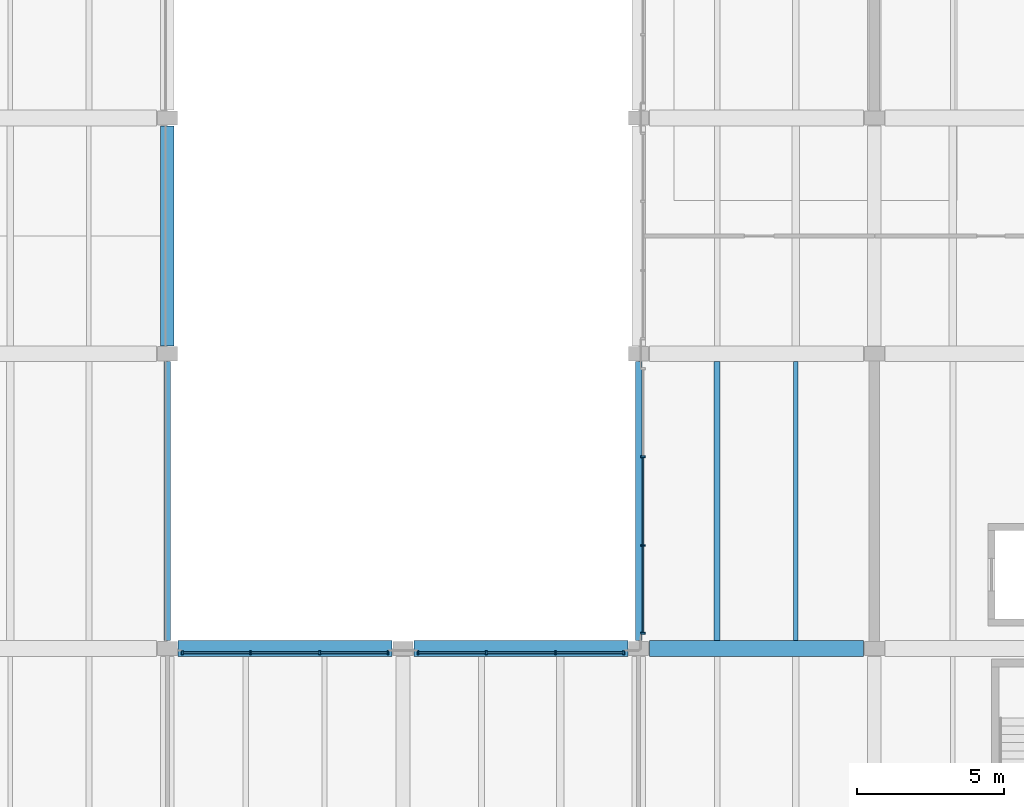
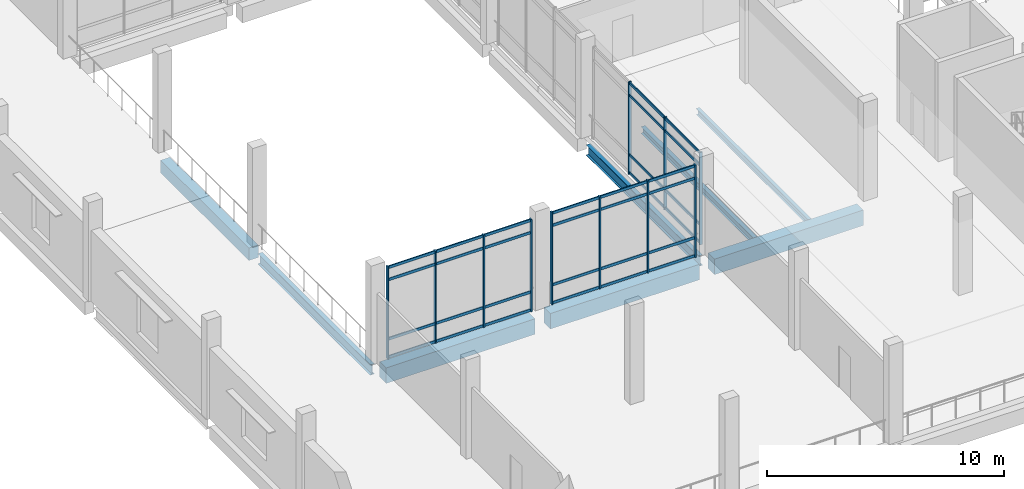
# One storey, part 8 of 61: 43 members, 8 beams, 3 elements without a shape of their own.
"""IFC4 building model written with IfcOpenShell, lengths in metres."""

from ifc_helpers import new_model, si_unit, direction, frame, origin, origin_2d, place, context, subcontext, project, spatial, rectangle, i_section, extrude, material, material_profile, profile_set, type_object, element, aggregate, save


model = new_model("IFC4")

# Units and contexts
model_context = context("Model", 3, precision=1e-05, world=origin(), true_north=direction((0.0, 1.0)))
body_context = subcontext(model_context, "Body", "Model", "MODEL_VIEW")
ifc_project = project(units=[si_unit("LENGTHUNIT", "METRE"), si_unit("AREAUNIT", "SQUARE_METRE"), si_unit("VOLUMEUNIT", "CUBIC_METRE"), si_unit("PLANEANGLEUNIT", "RADIAN"), si_unit("MASSUNIT", "GRAM", prefix="KILO")], contexts=[model_context])

# Site, building, storey
site_placement = place(None, origin())
site = spatial("IfcSite", under=ifc_project, at=site_placement, CompositionType="ELEMENT")
building_placement = place(site_placement, origin())
building = spatial("IfcBuilding", under=site, at=building_placement, Name="Pecanmere Concourse Central Library", CompositionType="ELEMENT")
storey_placement = place(building_placement, frame((0.0, 0.0, 5.39990234375)))
storey = spatial("IfcBuildingStorey", under=building, at=storey_placement, Name="L02", CompositionType="ELEMENT", Elevation=5.39990234375)

# Curtain wall, members
ifc_material_1 = material(Name="Clear anodized aluminium alloy 6063-T6", Category="aluminium")
curtain_wall_type = type_object("IfcCurtainWallType", Name="CW_CLOISTER_GLAZ", PredefinedType="USERDEFINED", material=ifc_material_1)
curtain_wall_1_placement = place(storey_placement, origin())
curtain_wall_1 = element("IfcCurtainWall", 1, at=curtain_wall_1_placement, inside=storey, type_object=curtain_wall_type, Name="Unitised Curtain Wall CW-04 L02-116", ObjectType="UNITISED CURTAIN WALL", PredefinedType="USERDEFINED")
ifc_material_2 = material(Name="Clear anodized aluminium alloy 6063-T6", Category="aluminium")
ifc_material_profile_1 = material_profile(ifc_material_2, rectangle(XDim=0.06005859375, YDim=0.14990234375, at=origin_2d()), Name="AL 60x150")
ifc_profile_set_1 = profile_set([ifc_material_profile_1], Name="Clear anodized aluminium alloy 6063-T6")
member_type_1 = type_object("IfcMemberType", Name="CWM_150x60", PredefinedType="MULLION", material=ifc_profile_set_1)
member_1_placement = place(storey_placement, frame((48.14990234375, 70.506591796875, 0.0), z_axis=(0.0, 0.0, 1.0), x_axis=(0.0, -1.0, 0.0)))
member_1 = element("IfcMember", 2, at=member_1_placement, type_object=member_type_1, Name="CW-04 Mullion 2", PredefinedType="MULLION", context=body_context, shape_type="SweptSolid", body=[
    extrude(rectangle(XDim=0.06005859375, YDim=0.14990234375, at=origin_2d()), origin(), (0.0, 0.0, 1.0), 4.760009765625),
])
member_2_placement = place(storey_placement, frame((48.14990234375, 67.493408203125, 0.0), z_axis=(0.0, 0.0, 1.0), x_axis=(0.0, -1.0, 0.0)))
member_2 = element("IfcMember", 3, at=member_2_placement, type_object=member_type_1, Name="CW-04 Mullion 3", PredefinedType="MULLION", context=body_context, shape_type="SweptSolid", body=[
    extrude(rectangle(XDim=0.06005859375, YDim=0.14990234375, at=origin_2d()), origin(), (0.0, 0.0, 1.0), 4.760009765625),
])
member_3_placement = place(storey_placement, frame((48.14990234375, 64.510009765625, 0.0), z_axis=(0.0, 0.0, 1.0), x_axis=(0.0, -1.0, 0.0)))
member_3 = element("IfcMember", 4, at=member_3_placement, type_object=member_type_1, Name="CW-04 Mullion 4", PredefinedType="MULLION", context=body_context, shape_type="SweptSolid", body=[
    extrude(rectangle(XDim=0.06005859375, YDim=0.14990234375, at=origin_2d()), origin(), (0.0, 0.0, 1.0), 4.760009765625),
])

curtain_wall_2_placement = place(storey_placement, origin())
curtain_wall_2 = element("IfcCurtainWall", 5, at=curtain_wall_2_placement, inside=storey, type_object=curtain_wall_type, Name="Unitised Curtain Wall CW-04 L02-125", ObjectType="UNITISED CURTAIN WALL", PredefinedType="USERDEFINED")
member_4_placement = place(storey_placement, frame((32.510009765625, 63.85009765625, 0.0), z_axis=(0.0, 0.0, 1.0), x_axis=(1.0, 0.0, 0.0)))
member_4 = element("IfcMember", 6, at=member_4_placement, type_object=member_type_1, Name="CW-04 Mullion 1", PredefinedType="MULLION", context=body_context, shape_type="SweptSolid", body=[
    extrude(rectangle(XDim=0.06005859375, YDim=0.14990234375, at=origin_2d()), origin(), (0.0, 0.0, 1.0), 4.760009765625),
])
member_5_placement = place(storey_placement, frame((34.82666015625, 63.85009765625, 0.0), z_axis=(0.0, 0.0, 1.0), x_axis=(1.0, 0.0, 0.0)))
member_5 = element("IfcMember", 7, at=member_5_placement, type_object=member_type_1, Name="CW-04 Mullion 2", PredefinedType="MULLION", context=body_context, shape_type="SweptSolid", body=[
    extrude(rectangle(XDim=0.06005859375, YDim=0.14990234375, at=origin_2d()), origin(), (0.0, 0.0, 1.0), 4.760009765625),
])
member_6_placement = place(storey_placement, frame((37.17333984375, 63.85009765625, 0.0), z_axis=(0.0, 0.0, 1.0), x_axis=(1.0, 0.0, 0.0)))
member_6 = element("IfcMember", 8, at=member_6_placement, type_object=member_type_1, Name="CW-04 Mullion 3", PredefinedType="MULLION", context=body_context, shape_type="SweptSolid", body=[
    extrude(rectangle(XDim=0.06005859375, YDim=0.14990234375, at=origin_2d()), origin(), (0.0, 0.0, 1.0), 4.760009765625),
])
member_7_placement = place(storey_placement, frame((39.489990234375, 63.85009765625, 0.0), z_axis=(0.0, 0.0, 1.0), x_axis=(1.0, 0.0, 0.0)))
member_7 = element("IfcMember", 9, at=member_7_placement, type_object=member_type_1, Name="CW-04 Mullion 4", PredefinedType="MULLION", context=body_context, shape_type="SweptSolid", body=[
    extrude(rectangle(XDim=0.06005859375, YDim=0.14990234375, at=origin_2d()), origin(), (0.0, 0.0, 1.0), 4.760009765625),
])

curtain_wall_3_placement = place(storey_placement, origin())
curtain_wall_3 = element("IfcCurtainWall", 10, at=curtain_wall_3_placement, inside=storey, type_object=curtain_wall_type, Name="Unitised Curtain Wall CW-04 L02-127", ObjectType="UNITISED CURTAIN WALL", PredefinedType="USERDEFINED")
member_8_placement = place(storey_placement, frame((40.510009765625, 63.85009765625, 0.0), z_axis=(0.0, 0.0, 1.0), x_axis=(1.0, 0.0, 0.0)))
member_8 = element("IfcMember", 11, at=member_8_placement, type_object=member_type_1, Name="CW-04 Mullion 1", PredefinedType="MULLION", context=body_context, shape_type="SweptSolid", body=[
    extrude(rectangle(XDim=0.06005859375, YDim=0.14990234375, at=origin_2d()), origin(), (0.0, 0.0, 1.0), 4.760009765625),
])
member_9_placement = place(storey_placement, frame((42.82666015625, 63.85009765625, 0.0), z_axis=(0.0, 0.0, 1.0), x_axis=(1.0, 0.0, 0.0)))
member_9 = element("IfcMember", 12, at=member_9_placement, type_object=member_type_1, Name="CW-04 Mullion 2", PredefinedType="MULLION", context=body_context, shape_type="SweptSolid", body=[
    extrude(rectangle(XDim=0.06005859375, YDim=0.14990234375, at=origin_2d()), origin(), (0.0, 0.0, 1.0), 4.760009765625),
])
member_10_placement = place(storey_placement, frame((45.17333984375, 63.85009765625, 0.0), z_axis=(0.0, 0.0, 1.0), x_axis=(1.0, 0.0, 0.0)))
member_10 = element("IfcMember", 13, at=member_10_placement, type_object=member_type_1, Name="CW-04 Mullion 3", PredefinedType="MULLION", context=body_context, shape_type="SweptSolid", body=[
    extrude(rectangle(XDim=0.06005859375, YDim=0.14990234375, at=origin_2d()), origin(), (0.0, 0.0, 1.0), 4.760009765625),
])
member_11_placement = place(storey_placement, frame((47.489990234375, 63.85009765625, 0.0), z_axis=(0.0, 0.0, 1.0), x_axis=(1.0, 0.0, 0.0)))
member_11 = element("IfcMember", 14, at=member_11_placement, type_object=member_type_1, Name="CW-04 Mullion 4", PredefinedType="MULLION", context=body_context, shape_type="SweptSolid", body=[
    extrude(rectangle(XDim=0.06005859375, YDim=0.14990234375, at=origin_2d()), origin(), (0.0, 0.0, 1.0), 4.760009765625),
])

# Member
ifc_material_3 = material(Name="Clear anodized aluminium alloy 6063-T6", Category="aluminium")
ifc_material_profile_2 = material_profile(ifc_material_3, rectangle(XDim=0.054931640625, YDim=0.139892578125, at=origin_2d()), Name="AL 55x140")
ifc_profile_set_2 = profile_set([ifc_material_profile_2], Name="Clear anodized aluminium alloy 6063-T6")
member_type_2 = type_object("IfcMemberType", Name="CWT_140x55", PredefinedType="USERDEFINED", material=ifc_profile_set_2)
member_12_placement = place(storey_placement, frame((48.14990234375, 70.4765625, 0.070068359375), z_axis=(0.0, -1.0, 0.0), x_axis=(1.0, 0.0, 0.0)))
member_12 = element("IfcMember", 15, at=member_12_placement, type_object=member_type_2, Name="CW-04 Transom 2.1", ObjectType="TRANSOM", PredefinedType="USERDEFINED", context=body_context, shape_type="SweptSolid", body=[
    extrude(rectangle(XDim=0.054931640625, YDim=0.139892578125, at=origin_2d()), origin(), (0.0, 0.0, 1.0), 2.953125),
])

member_13_placement = place(storey_placement, frame((48.14990234375, 70.4765625, 1.0), z_axis=(0.0, -1.0, 0.0), x_axis=(1.0, 0.0, 0.0)))
member_13 = element("IfcMember", 16, at=member_13_placement, type_object=member_type_2, Name="CW-04 Transom 2.2", ObjectType="TRANSOM", PredefinedType="USERDEFINED", context=body_context, shape_type="SweptSolid", body=[
    extrude(rectangle(XDim=0.054931640625, YDim=0.139892578125, at=origin_2d()), origin(), (0.0, 0.0, 1.0), 2.953125),
])

member_14_placement = place(storey_placement, frame((48.14990234375, 70.4765625, 4.06005859375), z_axis=(0.0, -1.0, 0.0), x_axis=(1.0, 0.0, 0.0)))
member_14 = element("IfcMember", 17, at=member_14_placement, type_object=member_type_2, Name="CW-04 Transom 2.3", ObjectType="TRANSOM", PredefinedType="USERDEFINED", context=body_context, shape_type="SweptSolid", body=[
    extrude(rectangle(XDim=0.054931640625, YDim=0.139892578125, at=origin_2d()), origin(), (0.0, 0.0, 1.0), 2.953125),
])

member_15_placement = place(storey_placement, frame((48.14990234375, 70.4765625, 4.690185546875), z_axis=(0.0, -1.0, 0.0), x_axis=(1.0, 0.0, 0.0)))
member_15 = element("IfcMember", 18, at=member_15_placement, type_object=member_type_2, Name="CW-04 Transom 2.4", ObjectType="TRANSOM", PredefinedType="USERDEFINED", context=body_context, shape_type="SweptSolid", body=[
    extrude(rectangle(XDim=0.054931640625, YDim=0.139892578125, at=origin_2d()), origin(), (0.0, 0.0, 1.0), 2.953125),
])

member_16_placement = place(storey_placement, frame((48.14990234375, 67.46337890625, 0.070068359375), z_axis=(0.0, -1.0, 0.0), x_axis=(1.0, 0.0, 0.0)))
member_16 = element("IfcMember", 19, at=member_16_placement, type_object=member_type_2, Name="CW-04 Transom 3.1", ObjectType="TRANSOM", PredefinedType="USERDEFINED", context=body_context, shape_type="SweptSolid", body=[
    extrude(rectangle(XDim=0.054931640625, YDim=0.139892578125, at=origin_2d()), origin(), (0.0, 0.0, 1.0), 2.92333984375),
])

member_17_placement = place(storey_placement, frame((48.14990234375, 67.46337890625, 1.0), z_axis=(0.0, -1.0, 0.0), x_axis=(1.0, 0.0, 0.0)))
member_17 = element("IfcMember", 20, at=member_17_placement, type_object=member_type_2, Name="CW-04 Transom 3.2", ObjectType="TRANSOM", PredefinedType="USERDEFINED", context=body_context, shape_type="SweptSolid", body=[
    extrude(rectangle(XDim=0.054931640625, YDim=0.139892578125, at=origin_2d()), origin(), (0.0, 0.0, 1.0), 2.92333984375),
])

member_18_placement = place(storey_placement, frame((48.14990234375, 67.46337890625, 4.06005859375), z_axis=(0.0, -1.0, 0.0), x_axis=(1.0, 0.0, 0.0)))
member_18 = element("IfcMember", 21, at=member_18_placement, type_object=member_type_2, Name="CW-04 Transom 3.3", ObjectType="TRANSOM", PredefinedType="USERDEFINED", context=body_context, shape_type="SweptSolid", body=[
    extrude(rectangle(XDim=0.054931640625, YDim=0.139892578125, at=origin_2d()), origin(), (0.0, 0.0, 1.0), 2.92333984375),
])

member_19_placement = place(storey_placement, frame((48.14990234375, 67.46337890625, 4.690185546875), z_axis=(0.0, -1.0, 0.0), x_axis=(1.0, 0.0, 0.0)))
member_19 = element("IfcMember", 22, at=member_19_placement, type_object=member_type_2, Name="CW-04 Transom 3.4", ObjectType="TRANSOM", PredefinedType="USERDEFINED", context=body_context, shape_type="SweptSolid", body=[
    extrude(rectangle(XDim=0.054931640625, YDim=0.139892578125, at=origin_2d()), origin(), (0.0, 0.0, 1.0), 2.92333984375),
])

aggregate(curtain_wall_1, [member_1, member_2, member_3, member_12, member_13, member_14, member_15, member_16, member_17, member_18, member_19])

member_20_placement = place(storey_placement, frame((32.5400390625, 63.85009765625, 0.070068359375), z_axis=(1.0, 0.0, 0.0), x_axis=(0.0, 1.0, 0.0)))
member_20 = element("IfcMember", 23, at=member_20_placement, type_object=member_type_2, Name="CW-04 Transom 1.1", ObjectType="TRANSOM", PredefinedType="USERDEFINED", context=body_context, shape_type="SweptSolid", body=[
    extrude(rectangle(XDim=0.054931640625, YDim=0.139892578125, at=origin_2d()), origin(), (0.0, 0.0, 1.0), 2.256591796875),
])

member_21_placement = place(storey_placement, frame((32.5400390625, 63.85009765625, 1.0), z_axis=(1.0, 0.0, 0.0), x_axis=(0.0, 1.0, 0.0)))
member_21 = element("IfcMember", 24, at=member_21_placement, type_object=member_type_2, Name="CW-04 Transom 1.2", ObjectType="TRANSOM", PredefinedType="USERDEFINED", context=body_context, shape_type="SweptSolid", body=[
    extrude(rectangle(XDim=0.054931640625, YDim=0.139892578125, at=origin_2d()), origin(), (0.0, 0.0, 1.0), 2.256591796875),
])

member_22_placement = place(storey_placement, frame((32.5400390625, 63.85009765625, 4.06005859375), z_axis=(1.0, 0.0, 0.0), x_axis=(0.0, 1.0, 0.0)))
member_22 = element("IfcMember", 25, at=member_22_placement, type_object=member_type_2, Name="CW-04 Transom 1.3", ObjectType="TRANSOM", PredefinedType="USERDEFINED", context=body_context, shape_type="SweptSolid", body=[
    extrude(rectangle(XDim=0.054931640625, YDim=0.139892578125, at=origin_2d()), origin(), (0.0, 0.0, 1.0), 2.256591796875),
])

member_23_placement = place(storey_placement, frame((32.5400390625, 63.85009765625, 4.690185546875), z_axis=(1.0, 0.0, 0.0), x_axis=(0.0, 1.0, 0.0)))
member_23 = element("IfcMember", 26, at=member_23_placement, type_object=member_type_2, Name="CW-04 Transom 1.4", ObjectType="TRANSOM", PredefinedType="USERDEFINED", context=body_context, shape_type="SweptSolid", body=[
    extrude(rectangle(XDim=0.054931640625, YDim=0.139892578125, at=origin_2d()), origin(), (0.0, 0.0, 1.0), 2.256591796875),
])

member_24_placement = place(storey_placement, frame((34.856689453125, 63.85009765625, 0.070068359375), z_axis=(1.0, 0.0, 0.0), x_axis=(0.0, 1.0, 0.0)))
member_24 = element("IfcMember", 27, at=member_24_placement, type_object=member_type_2, Name="CW-04 Transom 2.1", ObjectType="TRANSOM", PredefinedType="USERDEFINED", context=body_context, shape_type="SweptSolid", body=[
    extrude(rectangle(XDim=0.054931640625, YDim=0.139892578125, at=origin_2d()), origin(), (0.0, 0.0, 1.0), 2.28662109375),
])

member_25_placement = place(storey_placement, frame((34.856689453125, 63.85009765625, 1.0), z_axis=(1.0, 0.0, 0.0), x_axis=(0.0, 1.0, 0.0)))
member_25 = element("IfcMember", 28, at=member_25_placement, type_object=member_type_2, Name="CW-04 Transom 2.2", ObjectType="TRANSOM", PredefinedType="USERDEFINED", context=body_context, shape_type="SweptSolid", body=[
    extrude(rectangle(XDim=0.054931640625, YDim=0.139892578125, at=origin_2d()), origin(), (0.0, 0.0, 1.0), 2.28662109375),
])

member_26_placement = place(storey_placement, frame((34.856689453125, 63.85009765625, 4.06005859375), z_axis=(1.0, 0.0, 0.0), x_axis=(0.0, 1.0, 0.0)))
member_26 = element("IfcMember", 29, at=member_26_placement, type_object=member_type_2, Name="CW-04 Transom 2.3", ObjectType="TRANSOM", PredefinedType="USERDEFINED", context=body_context, shape_type="SweptSolid", body=[
    extrude(rectangle(XDim=0.054931640625, YDim=0.139892578125, at=origin_2d()), origin(), (0.0, 0.0, 1.0), 2.28662109375),
])

member_27_placement = place(storey_placement, frame((34.856689453125, 63.85009765625, 4.690185546875), z_axis=(1.0, 0.0, 0.0), x_axis=(0.0, 1.0, 0.0)))
member_27 = element("IfcMember", 30, at=member_27_placement, type_object=member_type_2, Name="CW-04 Transom 2.4", ObjectType="TRANSOM", PredefinedType="USERDEFINED", context=body_context, shape_type="SweptSolid", body=[
    extrude(rectangle(XDim=0.054931640625, YDim=0.139892578125, at=origin_2d()), origin(), (0.0, 0.0, 1.0), 2.28662109375),
])

member_28_placement = place(storey_placement, frame((37.203369140625, 63.85009765625, 0.070068359375), z_axis=(1.0, 0.0, 0.0), x_axis=(0.0, 1.0, 0.0)))
member_28 = element("IfcMember", 31, at=member_28_placement, type_object=member_type_2, Name="CW-04 Transom 3.1", ObjectType="TRANSOM", PredefinedType="USERDEFINED", context=body_context, shape_type="SweptSolid", body=[
    extrude(rectangle(XDim=0.054931640625, YDim=0.139892578125, at=origin_2d()), origin(), (0.0, 0.0, 1.0), 2.256591796875),
])

member_29_placement = place(storey_placement, frame((37.203369140625, 63.85009765625, 1.0), z_axis=(1.0, 0.0, 0.0), x_axis=(0.0, 1.0, 0.0)))
member_29 = element("IfcMember", 32, at=member_29_placement, type_object=member_type_2, Name="CW-04 Transom 3.2", ObjectType="TRANSOM", PredefinedType="USERDEFINED", context=body_context, shape_type="SweptSolid", body=[
    extrude(rectangle(XDim=0.054931640625, YDim=0.139892578125, at=origin_2d()), origin(), (0.0, 0.0, 1.0), 2.256591796875),
])

member_30_placement = place(storey_placement, frame((37.203369140625, 63.85009765625, 4.06005859375), z_axis=(1.0, 0.0, 0.0), x_axis=(0.0, 1.0, 0.0)))
member_30 = element("IfcMember", 33, at=member_30_placement, type_object=member_type_2, Name="CW-04 Transom 3.3", ObjectType="TRANSOM", PredefinedType="USERDEFINED", context=body_context, shape_type="SweptSolid", body=[
    extrude(rectangle(XDim=0.054931640625, YDim=0.139892578125, at=origin_2d()), origin(), (0.0, 0.0, 1.0), 2.256591796875),
])

member_31_placement = place(storey_placement, frame((37.203369140625, 63.85009765625, 4.690185546875), z_axis=(1.0, 0.0, 0.0), x_axis=(0.0, 1.0, 0.0)))
member_31 = element("IfcMember", 34, at=member_31_placement, type_object=member_type_2, Name="CW-04 Transom 3.4", ObjectType="TRANSOM", PredefinedType="USERDEFINED", context=body_context, shape_type="SweptSolid", body=[
    extrude(rectangle(XDim=0.054931640625, YDim=0.139892578125, at=origin_2d()), origin(), (0.0, 0.0, 1.0), 2.256591796875),
])

aggregate(curtain_wall_2, [member_4, member_5, member_6, member_7, member_20, member_21, member_22, member_23, member_24, member_25, member_26, member_27, member_28, member_29, member_30, member_31])

member_32_placement = place(storey_placement, frame((40.5400390625, 63.85009765625, 0.070068359375), z_axis=(1.0, 0.0, 0.0), x_axis=(0.0, 1.0, 0.0)))
member_32 = element("IfcMember", 35, at=member_32_placement, type_object=member_type_2, Name="CW-04 Transom 1.1", ObjectType="TRANSOM", PredefinedType="USERDEFINED", context=body_context, shape_type="SweptSolid", body=[
    extrude(rectangle(XDim=0.054931640625, YDim=0.139892578125, at=origin_2d()), origin(), (0.0, 0.0, 1.0), 2.256591796875),
])

member_33_placement = place(storey_placement, frame((40.5400390625, 63.85009765625, 1.0), z_axis=(1.0, 0.0, 0.0), x_axis=(0.0, 1.0, 0.0)))
member_33 = element("IfcMember", 36, at=member_33_placement, type_object=member_type_2, Name="CW-04 Transom 1.2", ObjectType="TRANSOM", PredefinedType="USERDEFINED", context=body_context, shape_type="SweptSolid", body=[
    extrude(rectangle(XDim=0.054931640625, YDim=0.139892578125, at=origin_2d()), origin(), (0.0, 0.0, 1.0), 2.256591796875),
])

member_34_placement = place(storey_placement, frame((40.5400390625, 63.85009765625, 4.06005859375), z_axis=(1.0, 0.0, 0.0), x_axis=(0.0, 1.0, 0.0)))
member_34 = element("IfcMember", 37, at=member_34_placement, type_object=member_type_2, Name="CW-04 Transom 1.3", ObjectType="TRANSOM", PredefinedType="USERDEFINED", context=body_context, shape_type="SweptSolid", body=[
    extrude(rectangle(XDim=0.054931640625, YDim=0.139892578125, at=origin_2d()), origin(), (0.0, 0.0, 1.0), 2.256591796875),
])

member_35_placement = place(storey_placement, frame((40.5400390625, 63.85009765625, 4.690185546875), z_axis=(1.0, 0.0, 0.0), x_axis=(0.0, 1.0, 0.0)))
member_35 = element("IfcMember", 38, at=member_35_placement, type_object=member_type_2, Name="CW-04 Transom 1.4", ObjectType="TRANSOM", PredefinedType="USERDEFINED", context=body_context, shape_type="SweptSolid", body=[
    extrude(rectangle(XDim=0.054931640625, YDim=0.139892578125, at=origin_2d()), origin(), (0.0, 0.0, 1.0), 2.256591796875),
])

member_36_placement = place(storey_placement, frame((42.856689453125, 63.85009765625, 0.070068359375), z_axis=(1.0, 0.0, 0.0), x_axis=(0.0, 1.0, 0.0)))
member_36 = element("IfcMember", 39, at=member_36_placement, type_object=member_type_2, Name="CW-04 Transom 2.1", ObjectType="TRANSOM", PredefinedType="USERDEFINED", context=body_context, shape_type="SweptSolid", body=[
    extrude(rectangle(XDim=0.054931640625, YDim=0.139892578125, at=origin_2d()), origin(), (0.0, 0.0, 1.0), 2.28662109375),
])

member_37_placement = place(storey_placement, frame((42.856689453125, 63.85009765625, 1.0), z_axis=(1.0, 0.0, 0.0), x_axis=(0.0, 1.0, 0.0)))
member_37 = element("IfcMember", 40, at=member_37_placement, type_object=member_type_2, Name="CW-04 Transom 2.2", ObjectType="TRANSOM", PredefinedType="USERDEFINED", context=body_context, shape_type="SweptSolid", body=[
    extrude(rectangle(XDim=0.054931640625, YDim=0.139892578125, at=origin_2d()), origin(), (0.0, 0.0, 1.0), 2.28662109375),
])

member_38_placement = place(storey_placement, frame((42.856689453125, 63.85009765625, 4.06005859375), z_axis=(1.0, 0.0, 0.0), x_axis=(0.0, 1.0, 0.0)))
member_38 = element("IfcMember", 41, at=member_38_placement, type_object=member_type_2, Name="CW-04 Transom 2.3", ObjectType="TRANSOM", PredefinedType="USERDEFINED", context=body_context, shape_type="SweptSolid", body=[
    extrude(rectangle(XDim=0.054931640625, YDim=0.139892578125, at=origin_2d()), origin(), (0.0, 0.0, 1.0), 2.28662109375),
])

member_39_placement = place(storey_placement, frame((42.856689453125, 63.85009765625, 4.690185546875), z_axis=(1.0, 0.0, 0.0), x_axis=(0.0, 1.0, 0.0)))
member_39 = element("IfcMember", 42, at=member_39_placement, type_object=member_type_2, Name="CW-04 Transom 2.4", ObjectType="TRANSOM", PredefinedType="USERDEFINED", context=body_context, shape_type="SweptSolid", body=[
    extrude(rectangle(XDim=0.054931640625, YDim=0.139892578125, at=origin_2d()), origin(), (0.0, 0.0, 1.0), 2.28662109375),
])

member_40_placement = place(storey_placement, frame((45.203369140625, 63.85009765625, 0.070068359375), z_axis=(1.0, 0.0, 0.0), x_axis=(0.0, 1.0, 0.0)))
member_40 = element("IfcMember", 43, at=member_40_placement, type_object=member_type_2, Name="CW-04 Transom 3.1", ObjectType="TRANSOM", PredefinedType="USERDEFINED", context=body_context, shape_type="SweptSolid", body=[
    extrude(rectangle(XDim=0.054931640625, YDim=0.139892578125, at=origin_2d()), origin(), (0.0, 0.0, 1.0), 2.256591796875),
])

member_41_placement = place(storey_placement, frame((45.203369140625, 63.85009765625, 1.0), z_axis=(1.0, 0.0, 0.0), x_axis=(0.0, 1.0, 0.0)))
member_41 = element("IfcMember", 44, at=member_41_placement, type_object=member_type_2, Name="CW-04 Transom 3.2", ObjectType="TRANSOM", PredefinedType="USERDEFINED", context=body_context, shape_type="SweptSolid", body=[
    extrude(rectangle(XDim=0.054931640625, YDim=0.139892578125, at=origin_2d()), origin(), (0.0, 0.0, 1.0), 2.256591796875),
])

member_42_placement = place(storey_placement, frame((45.203369140625, 63.85009765625, 4.06005859375), z_axis=(1.0, 0.0, 0.0), x_axis=(0.0, 1.0, 0.0)))
member_42 = element("IfcMember", 45, at=member_42_placement, type_object=member_type_2, Name="CW-04 Transom 3.3", ObjectType="TRANSOM", PredefinedType="USERDEFINED", context=body_context, shape_type="SweptSolid", body=[
    extrude(rectangle(XDim=0.054931640625, YDim=0.139892578125, at=origin_2d()), origin(), (0.0, 0.0, 1.0), 2.256591796875),
])

member_43_placement = place(storey_placement, frame((45.203369140625, 63.85009765625, 4.690185546875), z_axis=(1.0, 0.0, 0.0), x_axis=(0.0, 1.0, 0.0)))
member_43 = element("IfcMember", 46, at=member_43_placement, type_object=member_type_2, Name="CW-04 Transom 3.4", ObjectType="TRANSOM", PredefinedType="USERDEFINED", context=body_context, shape_type="SweptSolid", body=[
    extrude(rectangle(XDim=0.054931640625, YDim=0.139892578125, at=origin_2d()), origin(), (0.0, 0.0, 1.0), 2.256591796875),
])

aggregate(curtain_wall_3, [member_8, member_9, member_10, member_11, member_32, member_33, member_34, member_35, member_36, member_37, member_38, member_39, member_40, member_41, member_42, member_43])

# Beams
ifc_material_4 = material(Name="Concrete C40/50", Category="concrete")
ifc_material_profile_3 = material_profile(ifc_material_4, rectangle(XDim=0.4599609375, YDim=0.64990234375, at=origin_2d()), Name="RC 460x650")
ifc_profile_set_3 = profile_set([ifc_material_profile_3], Name="Concrete C40/50")
beam_type_1 = type_object("IfcBeamType", Name="GRD_460x650", PredefinedType="USERDEFINED", material=ifc_profile_set_3)
beam_1_placement = place(storey_placement, frame((32.0, 74.27001953125, -0.69482421875), z_axis=(0.0, 1.0, 0.0), x_axis=(-1.0, 0.0, 0.0)))
element("IfcBeam", 47, at=beam_1_placement, inside=storey, type_object=beam_type_1, Name="Primary Girder Y L02-0988", ObjectType="GIRDER", PredefinedType="USERDEFINED", context=body_context, shape_type="SweptSolid", body=[
    extrude(rectangle(XDim=0.4599609375, YDim=0.64990234375, at=origin_2d()), origin(), (0.0, 0.0, 1.0), 7.4599609375),
])
ifc_material_5 = material(Name="Concrete C40/50", Category="concrete")
ifc_material_profile_4 = material_profile(ifc_material_5, rectangle(XDim=0.5400390625, YDim=0.800048828125, at=origin_2d()), Name="RC 540x800")
ifc_profile_set_4 = profile_set([ifc_material_profile_4], Name="Concrete C40/50")
beam_type_2 = type_object("IfcBeamType", Name="GRD_540x800", PredefinedType="USERDEFINED", material=ifc_profile_set_4)
for number, where, z_axis, x_axis, name in (
    (48, (32.3701171875, 64.0, -0.77001953125), (1.0, 0.0, 0.0), (0.0, 1.0, 0.0), "Primary Girder X L02-0870"),
    (49, (40.3701171875, 64.0, -0.77001953125), (1.0, 0.0, 0.0), (0.0, 1.0, 0.0), "Primary Girder X L02-0871"),
    (50, (48.3701171875, 64.0, -0.77001953125), (1.0, 0.0, 0.0), (0.0, 1.0, 0.0), "Primary Girder X L02-0872"),
):
    element("IfcBeam", number, at=place(storey_placement, frame(where, z_axis=z_axis, x_axis=x_axis)), inside=storey, type_object=beam_type_2, Name=name, ObjectType="GIRDER", PredefinedType="USERDEFINED", context=body_context, shape_type="SweptSolid", body=[
        extrude(rectangle(XDim=0.5400390625, YDim=0.800048828125, at=origin_2d()), origin(), (0.0, 0.0, 1.0), 7.259765625),
    ])
ifc_material_6 = material(Name="Structural steel ASTM A992 Grade 50", Category="steel")
ifc_material_profile_5 = material_profile(ifc_material_6, i_section(OverallWidth=0.1669921875, OverallDepth=0.31689453125, WebThickness=0.007568359375, FlangeThickness=0.01318359375, at=origin_2d()), Name="W310x52")
ifc_profile_set_5 = profile_set([ifc_material_profile_5], Name="Structural steel ASTM A992 Grade 50")
beam_type_3 = type_object("IfcBeamType", Name="SBM_W310x52", PredefinedType="JOIST", material=ifc_profile_set_5)
beam_2_placement = place(storey_placement, frame((53.333251953125, 64.27001953125, -0.5283203125), z_axis=(0.0, 1.0, 0.0), x_axis=(-1.0, 0.0, 0.0)))
element("IfcBeam", 51, at=beam_2_placement, inside=storey, type_object=beam_type_3, Name="Secondary Floor Joist L02-1234", PredefinedType="JOIST", context=body_context, shape_type="SweptSolid", body=[
    extrude(i_section(OverallWidth=0.1669921875, OverallDepth=0.31689453125, WebThickness=0.007568359375, FlangeThickness=0.01318359375, at=origin_2d()), origin(), (0.0, 0.0, 1.0), 9.4599609375),
])
ifc_material_7 = material(Name="Structural steel ASTM A992 Grade 50", Category="steel")
ifc_material_profile_6 = material_profile(ifc_material_7, i_section(OverallWidth=0.202880859375, OverallDepth=0.346923828125, WebThickness=0.0078125, FlangeThickness=0.013427734375, at=origin_2d()), Name="W360x64")
ifc_profile_set_6 = profile_set([ifc_material_profile_6], Name="Structural steel ASTM A992 Grade 50")
beam_type_4 = type_object("IfcBeamType", Name="SBM_W360x64", PredefinedType="JOIST", material=ifc_profile_set_6)
beam_3_placement = place(storey_placement, frame((50.666748046875, 64.27001953125, -0.54345703125), z_axis=(0.0, 1.0, 0.0), x_axis=(-1.0, 0.0, 0.0)))
element("IfcBeam", 52, at=beam_3_placement, inside=storey, type_object=beam_type_4, Name="Secondary Floor Joist L02-1233", PredefinedType="JOIST", context=body_context, shape_type="SweptSolid", body=[
    extrude(i_section(OverallWidth=0.202880859375, OverallDepth=0.346923828125, WebThickness=0.0078125, FlangeThickness=0.013427734375, at=origin_2d()), origin(), (0.0, 0.0, 1.0), 9.4599609375),
])
ifc_material_8 = material(Name="Structural steel ASTM A992 Grade 50", Category="steel")
ifc_material_profile_7 = material_profile(ifc_material_8, i_section(OverallWidth=0.2109375, OverallDepth=0.5390625, WebThickness=0.01171875, FlangeThickness=0.018798828125, at=origin_2d()), Name="W530x109")
ifc_profile_set_7 = profile_set([ifc_material_profile_7], Name="Structural steel ASTM A992 Grade 50")
beam_type_5 = type_object("IfcBeamType", Name="SBM_W530x109", PredefinedType="USERDEFINED", material=ifc_profile_set_7)
for number, where, z_axis, x_axis, name in (
    (53, (32.0, 64.27001953125, -0.639404296875), (0.0, 1.0, 0.0), (-1.0, 0.0, 0.0), "Primary Girder Y L02-0987"),
    (54, (48.0, 64.27001953125, -0.639404296875), (0.0, 1.0, 0.0), (-1.0, 0.0, 0.0), "Primary Girder Y L02-1006"),
):
    element("IfcBeam", number, at=place(storey_placement, frame(where, z_axis=z_axis, x_axis=x_axis)), inside=storey, type_object=beam_type_5, Name=name, ObjectType="GIRDER", PredefinedType="USERDEFINED", context=body_context, shape_type="SweptSolid", body=[
        extrude(i_section(OverallWidth=0.2109375, OverallDepth=0.5390625, WebThickness=0.01171875, FlangeThickness=0.018798828125, at=origin_2d()), origin(), (0.0, 0.0, 1.0), 9.4599609375),
    ])

save(model, "model.ifc")
